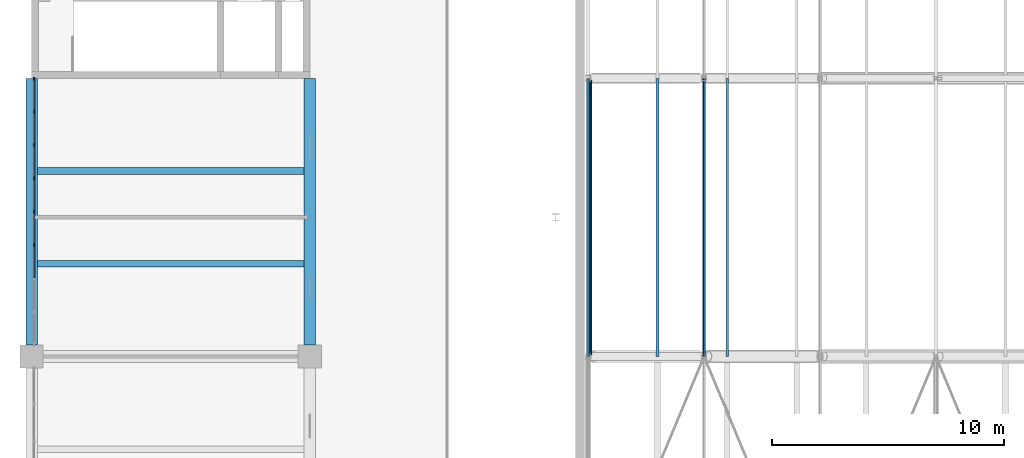
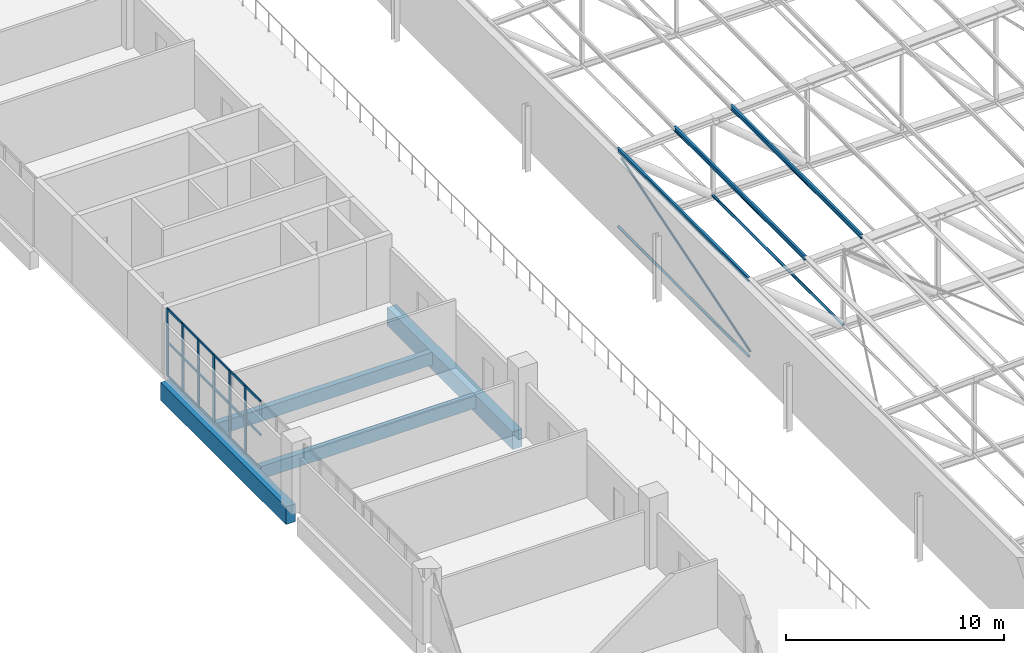
# One storey, part 65 of 156: 30 members, 4 beams, 1 element without a shape of its own.
"""IFC4 building model written with IfcOpenShell, lengths in metres."""

from ifc_helpers import new_model, si_unit, direction, frame, origin, origin_2d, place, context, subcontext, project, spatial, rectangle, hollow_circle, i_section, extrude, material, layer, layer_set, material_profile, profile_set, type_object, element, aggregate, save


model = new_model("IFC4")

# Units and contexts
model_context = context("Model", 3, precision=1e-05, world=origin(), true_north=direction((0.0, 1.0)))
body_context = subcontext(model_context, "Body", "Model", "MODEL_VIEW")
ifc_project = project(units=[si_unit("LENGTHUNIT", "METRE"), si_unit("AREAUNIT", "SQUARE_METRE"), si_unit("VOLUMEUNIT", "CUBIC_METRE"), si_unit("PLANEANGLEUNIT", "RADIAN"), si_unit("MASSUNIT", "GRAM", prefix="KILO")], contexts=[model_context])

# Site, building, storey
site_placement = place(None, origin())
site = spatial("IfcSite", under=ifc_project, at=site_placement, CompositionType="ELEMENT")
building_placement = place(site_placement, origin())
building = spatial("IfcBuilding", under=site, at=building_placement, Name="Lilac Gate Convention Centre", CompositionType="ELEMENT")
storey_placement = place(building_placement, frame((0.0, 0.0, 17.0)))
storey = spatial("IfcBuildingStorey", under=building, at=storey_placement, Name="L03", CompositionType="ELEMENT", Elevation=17.0)

# Members
ifc_material_1 = material(Name="Steel Q355B", Category="steel")
ifc_material_profile_1 = material_profile(ifc_material_1, hollow_circle(Radius=0.06982421875, WallThickness=0.0048828125, at=origin_2d()), Name="CHS139.7x5")
ifc_profile_set_1 = profile_set([ifc_material_profile_1], Name="Steel Q355B")
member_type_1 = type_object("IfcMemberType", Name="Bottom chord tie CHS139.7x5", PredefinedType="STRUT", material=ifc_profile_set_1)
for number, where, z_axis, x_axis, name in (
    (1, (30.0, 138.006103515625, 0.0), (0.0, 1.0, 0.0), (-1.0, 0.0, 0.0), "ST1 tie bay 10 node 1"),
    (2, (35.0, 138.006103515625, 0.0), (0.0, 1.0, 0.0), (-1.0, 0.0, 0.0), "ST1 tie bay 10 node 2"),
):
    element("IfcMember", number, at=place(storey_placement, frame(where, z_axis=z_axis, x_axis=x_axis)), inside=storey, type_object=member_type_1, Name=name, PredefinedType="STRUT", context=body_context, shape_type="SweptSolid", body=[
        extrude(hollow_circle(Radius=0.06982421875, WallThickness=0.0048828125, at=origin_2d()), origin(), (0.0, 0.0, 1.0), 11.98779296875),
    ])

# Curtain wall, members
ifc_material_2 = material(Name="Aluminium framed double glazing", Category="aluminium")
ifc_layer = layer(ifc_material_2, 0.199951171875)
ifc_layer_set = layer_set([ifc_layer], Name="Aluminium framed double glazing")
curtain_wall_type = type_object("IfcCurtainWallType", Name="Unitised curtain wall 1500", PredefinedType="NOTDEFINED", material=ifc_layer_set)
curtain_wall_placement = place(storey_placement, origin())
curtain_wall = element("IfcCurtainWall", 3, at=curtain_wall_placement, inside=storey, type_object=curtain_wall_type, Name="Curtain wall PW L03 5", PredefinedType="NOTDEFINED")
ifc_material_3 = material(Name="Aluminium alloy 6063", Category="aluminium")
ifc_material_profile_2 = material_profile(ifc_material_3, rectangle(XDim=0.06005859375, YDim=0.159912109375, at=origin_2d()), Name="Curtain wall mullion 60 x 160")
ifc_profile_set_2 = profile_set([ifc_material_profile_2], Name="Aluminium alloy 6063")
member_type_2 = type_object("IfcMemberType", Name="Curtain wall mullion 60 x 160", PredefinedType="MULLION", material=ifc_profile_set_2)
member_1_placement = place(storey_placement, frame((6.10009765625, 149.969970703125, 0.0), z_axis=(0.0, 0.0, 1.0), x_axis=(1.0, 0.0, 0.0)))
member_1 = element("IfcMember", 4, at=member_1_placement, type_object=member_type_2, Name="CW mullion 1", PredefinedType="MULLION", context=body_context, shape_type="SweptSolid", body=[
    extrude(rectangle(XDim=0.06005859375, YDim=0.159912109375, at=origin_2d()), origin(), (0.0, 0.0, 1.0), 3.800048828125),
])
member_2_placement = place(storey_placement, frame((6.10009765625, 148.5625, 0.0), z_axis=(0.0, 0.0, 1.0), x_axis=(1.0, 0.0, 0.0)))
member_2 = element("IfcMember", 5, at=member_2_placement, type_object=member_type_2, Name="CW mullion 2", PredefinedType="MULLION", context=body_context, shape_type="SweptSolid", body=[
    extrude(rectangle(XDim=0.06005859375, YDim=0.159912109375, at=origin_2d()), origin(), (0.0, 0.0, 1.0), 3.800048828125),
])
member_3_placement = place(storey_placement, frame((6.10009765625, 147.125, 0.0), z_axis=(0.0, 0.0, 1.0), x_axis=(1.0, 0.0, 0.0)))
member_3 = element("IfcMember", 6, at=member_3_placement, type_object=member_type_2, Name="CW mullion 3", PredefinedType="MULLION", context=body_context, shape_type="SweptSolid", body=[
    extrude(rectangle(XDim=0.06005859375, YDim=0.159912109375, at=origin_2d()), origin(), (0.0, 0.0, 1.0), 3.800048828125),
])
member_4_placement = place(storey_placement, frame((6.10009765625, 145.6875, 0.0), z_axis=(0.0, 0.0, 1.0), x_axis=(1.0, 0.0, 0.0)))
member_4 = element("IfcMember", 7, at=member_4_placement, type_object=member_type_2, Name="CW mullion 4", PredefinedType="MULLION", context=body_context, shape_type="SweptSolid", body=[
    extrude(rectangle(XDim=0.06005859375, YDim=0.159912109375, at=origin_2d()), origin(), (0.0, 0.0, 1.0), 3.800048828125),
])
member_5_placement = place(storey_placement, frame((6.10009765625, 144.25, 0.0), z_axis=(0.0, 0.0, 1.0), x_axis=(1.0, 0.0, 0.0)))
member_5 = element("IfcMember", 8, at=member_5_placement, type_object=member_type_2, Name="CW mullion 5", PredefinedType="MULLION", context=body_context, shape_type="SweptSolid", body=[
    extrude(rectangle(XDim=0.06005859375, YDim=0.159912109375, at=origin_2d()), origin(), (0.0, 0.0, 1.0), 3.800048828125),
])
member_6_placement = place(storey_placement, frame((6.10009765625, 142.8125, 0.0), z_axis=(0.0, 0.0, 1.0), x_axis=(1.0, 0.0, 0.0)))
member_6 = element("IfcMember", 9, at=member_6_placement, type_object=member_type_2, Name="CW mullion 6", PredefinedType="MULLION", context=body_context, shape_type="SweptSolid", body=[
    extrude(rectangle(XDim=0.06005859375, YDim=0.159912109375, at=origin_2d()), origin(), (0.0, 0.0, 1.0), 3.800048828125),
])
ifc_material_profile_3 = material_profile(ifc_material_3, rectangle(XDim=0.06005859375, YDim=0.1201171875, at=origin_2d()), Name="Curtain wall transom 60 x 120")
ifc_profile_set_3 = profile_set([ifc_material_profile_3], Name="Aluminium alloy 6063")
member_type_3 = type_object("IfcMemberType", Name="Curtain wall transom 60 x 120", PredefinedType="USERDEFINED", material=ifc_profile_set_3)
member_7_placement = place(storey_placement, frame((6.10009765625, 149.93994140625, 0.030029296875), z_axis=(0.0, -1.0, 0.0), x_axis=(1.0, 0.0, 0.0)))
member_7 = element("IfcMember", 10, at=member_7_placement, type_object=member_type_3, Name="CW transom 1.1", ObjectType="TRANSOM", PredefinedType="USERDEFINED", context=body_context, shape_type="SweptSolid", body=[
    extrude(rectangle(XDim=0.06005859375, YDim=0.1201171875, at=origin_2d()), origin(), (0.0, 0.0, 1.0), 1.347412109375),
])
member_8_placement = place(storey_placement, frame((6.10009765625, 149.93994140625, 1.89990234375), z_axis=(0.0, -1.0, 0.0), x_axis=(1.0, 0.0, 0.0)))
member_8 = element("IfcMember", 11, at=member_8_placement, type_object=member_type_3, Name="CW transom 1.2", ObjectType="TRANSOM", PredefinedType="USERDEFINED", context=body_context, shape_type="SweptSolid", body=[
    extrude(rectangle(XDim=0.06005859375, YDim=0.1201171875, at=origin_2d()), origin(), (0.0, 0.0, 1.0), 1.347412109375),
])
member_9_placement = place(storey_placement, frame((6.10009765625, 149.93994140625, 3.77001953125), z_axis=(0.0, -1.0, 0.0), x_axis=(1.0, 0.0, 0.0)))
member_9 = element("IfcMember", 12, at=member_9_placement, type_object=member_type_3, Name="CW transom 1.3", ObjectType="TRANSOM", PredefinedType="USERDEFINED", context=body_context, shape_type="SweptSolid", body=[
    extrude(rectangle(XDim=0.06005859375, YDim=0.1201171875, at=origin_2d()), origin(), (0.0, 0.0, 1.0), 1.347412109375),
])
member_10_placement = place(storey_placement, frame((6.10009765625, 148.532470703125, 0.030029296875), z_axis=(0.0, -1.0, 0.0), x_axis=(1.0, 0.0, 0.0)))
member_10 = element("IfcMember", 13, at=member_10_placement, type_object=member_type_3, Name="CW transom 2.1", ObjectType="TRANSOM", PredefinedType="USERDEFINED", context=body_context, shape_type="SweptSolid", body=[
    extrude(rectangle(XDim=0.06005859375, YDim=0.1201171875, at=origin_2d()), origin(), (0.0, 0.0, 1.0), 1.37744140625),
])
member_11_placement = place(storey_placement, frame((6.10009765625, 148.532470703125, 1.89990234375), z_axis=(0.0, -1.0, 0.0), x_axis=(1.0, 0.0, 0.0)))
member_11 = element("IfcMember", 14, at=member_11_placement, type_object=member_type_3, Name="CW transom 2.2", ObjectType="TRANSOM", PredefinedType="USERDEFINED", context=body_context, shape_type="SweptSolid", body=[
    extrude(rectangle(XDim=0.06005859375, YDim=0.1201171875, at=origin_2d()), origin(), (0.0, 0.0, 1.0), 1.37744140625),
])
member_12_placement = place(storey_placement, frame((6.10009765625, 148.532470703125, 3.77001953125), z_axis=(0.0, -1.0, 0.0), x_axis=(1.0, 0.0, 0.0)))
member_12 = element("IfcMember", 15, at=member_12_placement, type_object=member_type_3, Name="CW transom 2.3", ObjectType="TRANSOM", PredefinedType="USERDEFINED", context=body_context, shape_type="SweptSolid", body=[
    extrude(rectangle(XDim=0.06005859375, YDim=0.1201171875, at=origin_2d()), origin(), (0.0, 0.0, 1.0), 1.37744140625),
])
member_13_placement = place(storey_placement, frame((6.10009765625, 147.094970703125, 0.030029296875), z_axis=(0.0, -1.0, 0.0), x_axis=(1.0, 0.0, 0.0)))
member_13 = element("IfcMember", 16, at=member_13_placement, type_object=member_type_3, Name="CW transom 3.1", ObjectType="TRANSOM", PredefinedType="USERDEFINED", context=body_context, shape_type="SweptSolid", body=[
    extrude(rectangle(XDim=0.06005859375, YDim=0.1201171875, at=origin_2d()), origin(), (0.0, 0.0, 1.0), 1.37744140625),
])
member_14_placement = place(storey_placement, frame((6.10009765625, 147.094970703125, 1.89990234375), z_axis=(0.0, -1.0, 0.0), x_axis=(1.0, 0.0, 0.0)))
member_14 = element("IfcMember", 17, at=member_14_placement, type_object=member_type_3, Name="CW transom 3.2", ObjectType="TRANSOM", PredefinedType="USERDEFINED", context=body_context, shape_type="SweptSolid", body=[
    extrude(rectangle(XDim=0.06005859375, YDim=0.1201171875, at=origin_2d()), origin(), (0.0, 0.0, 1.0), 1.37744140625),
])
member_15_placement = place(storey_placement, frame((6.10009765625, 147.094970703125, 3.77001953125), z_axis=(0.0, -1.0, 0.0), x_axis=(1.0, 0.0, 0.0)))
member_15 = element("IfcMember", 18, at=member_15_placement, type_object=member_type_3, Name="CW transom 3.3", ObjectType="TRANSOM", PredefinedType="USERDEFINED", context=body_context, shape_type="SweptSolid", body=[
    extrude(rectangle(XDim=0.06005859375, YDim=0.1201171875, at=origin_2d()), origin(), (0.0, 0.0, 1.0), 1.37744140625),
])
member_16_placement = place(storey_placement, frame((6.10009765625, 145.657470703125, 0.030029296875), z_axis=(0.0, -1.0, 0.0), x_axis=(1.0, 0.0, 0.0)))
member_16 = element("IfcMember", 19, at=member_16_placement, type_object=member_type_3, Name="CW transom 4.1", ObjectType="TRANSOM", PredefinedType="USERDEFINED", context=body_context, shape_type="SweptSolid", body=[
    extrude(rectangle(XDim=0.06005859375, YDim=0.1201171875, at=origin_2d()), origin(), (0.0, 0.0, 1.0), 1.37744140625),
])
member_17_placement = place(storey_placement, frame((6.10009765625, 145.657470703125, 1.89990234375), z_axis=(0.0, -1.0, 0.0), x_axis=(1.0, 0.0, 0.0)))
member_17 = element("IfcMember", 20, at=member_17_placement, type_object=member_type_3, Name="CW transom 4.2", ObjectType="TRANSOM", PredefinedType="USERDEFINED", context=body_context, shape_type="SweptSolid", body=[
    extrude(rectangle(XDim=0.06005859375, YDim=0.1201171875, at=origin_2d()), origin(), (0.0, 0.0, 1.0), 1.37744140625),
])
member_18_placement = place(storey_placement, frame((6.10009765625, 145.657470703125, 3.77001953125), z_axis=(0.0, -1.0, 0.0), x_axis=(1.0, 0.0, 0.0)))
member_18 = element("IfcMember", 21, at=member_18_placement, type_object=member_type_3, Name="CW transom 4.3", ObjectType="TRANSOM", PredefinedType="USERDEFINED", context=body_context, shape_type="SweptSolid", body=[
    extrude(rectangle(XDim=0.06005859375, YDim=0.1201171875, at=origin_2d()), origin(), (0.0, 0.0, 1.0), 1.37744140625),
])
member_19_placement = place(storey_placement, frame((6.10009765625, 144.219970703125, 0.030029296875), z_axis=(0.0, -1.0, 0.0), x_axis=(1.0, 0.0, 0.0)))
member_19 = element("IfcMember", 22, at=member_19_placement, type_object=member_type_3, Name="CW transom 5.1", ObjectType="TRANSOM", PredefinedType="USERDEFINED", context=body_context, shape_type="SweptSolid", body=[
    extrude(rectangle(XDim=0.06005859375, YDim=0.1201171875, at=origin_2d()), origin(), (0.0, 0.0, 1.0), 1.37744140625),
])
member_20_placement = place(storey_placement, frame((6.10009765625, 144.219970703125, 1.89990234375), z_axis=(0.0, -1.0, 0.0), x_axis=(1.0, 0.0, 0.0)))
member_20 = element("IfcMember", 23, at=member_20_placement, type_object=member_type_3, Name="CW transom 5.2", ObjectType="TRANSOM", PredefinedType="USERDEFINED", context=body_context, shape_type="SweptSolid", body=[
    extrude(rectangle(XDim=0.06005859375, YDim=0.1201171875, at=origin_2d()), origin(), (0.0, 0.0, 1.0), 1.37744140625),
])
member_21_placement = place(storey_placement, frame((6.10009765625, 144.219970703125, 3.77001953125), z_axis=(0.0, -1.0, 0.0), x_axis=(1.0, 0.0, 0.0)))
member_21 = element("IfcMember", 24, at=member_21_placement, type_object=member_type_3, Name="CW transom 5.3", ObjectType="TRANSOM", PredefinedType="USERDEFINED", context=body_context, shape_type="SweptSolid", body=[
    extrude(rectangle(XDim=0.06005859375, YDim=0.1201171875, at=origin_2d()), origin(), (0.0, 0.0, 1.0), 1.37744140625),
])
member_22_placement = place(storey_placement, frame((6.10009765625, 142.782470703125, 0.030029296875), z_axis=(0.0, -1.0, 0.0), x_axis=(1.0, 0.0, 0.0)))
member_22 = element("IfcMember", 25, at=member_22_placement, type_object=member_type_3, Name="CW transom 6.1", ObjectType="TRANSOM", PredefinedType="USERDEFINED", context=body_context, shape_type="SweptSolid", body=[
    extrude(rectangle(XDim=0.06005859375, YDim=0.1201171875, at=origin_2d()), origin(), (0.0, 0.0, 1.0), 1.37744140625),
])
member_23_placement = place(storey_placement, frame((6.10009765625, 142.782470703125, 1.89990234375), z_axis=(0.0, -1.0, 0.0), x_axis=(1.0, 0.0, 0.0)))
member_23 = element("IfcMember", 26, at=member_23_placement, type_object=member_type_3, Name="CW transom 6.2", ObjectType="TRANSOM", PredefinedType="USERDEFINED", context=body_context, shape_type="SweptSolid", body=[
    extrude(rectangle(XDim=0.06005859375, YDim=0.1201171875, at=origin_2d()), origin(), (0.0, 0.0, 1.0), 1.37744140625),
])
member_24_placement = place(storey_placement, frame((6.10009765625, 142.782470703125, 3.77001953125), z_axis=(0.0, -1.0, 0.0), x_axis=(1.0, 0.0, 0.0)))
member_24 = element("IfcMember", 27, at=member_24_placement, type_object=member_type_3, Name="CW transom 6.3", ObjectType="TRANSOM", PredefinedType="USERDEFINED", context=body_context, shape_type="SweptSolid", body=[
    extrude(rectangle(XDim=0.06005859375, YDim=0.1201171875, at=origin_2d()), origin(), (0.0, 0.0, 1.0), 1.37744140625),
])
aggregate(curtain_wall, [member_1, member_2, member_3, member_4, member_5, member_6, member_7, member_8, member_9, member_10, member_11, member_12, member_13, member_14, member_15, member_16, member_17, member_18, member_19, member_20, member_21, member_22, member_23, member_24])

# Beams
ifc_material_4 = material(Name="Concrete C40", Category="concrete")
ifc_material_profile_4 = material_profile(ifc_material_4, rectangle(XDim=0.5, YDim=1.0, at=origin_2d()), Name="RC 500x1000")
ifc_profile_set_4 = profile_set([ifc_material_profile_4], Name="Concrete C40")
beam_type_1 = type_object("IfcBeamType", Name="Primary beam 500x1000 C40", PredefinedType="BEAM", material=ifc_profile_set_4)
for number, where, z_axis, x_axis, name in (
    (28, (6.0, 138.5, -0.75), (0.0, 1.0, 0.0), (-1.0, 0.0, 0.0), "RB1 L03 1/K-1/L"),
    (29, (18.0, 138.5, -0.75), (0.0, 1.0, 0.0), (-1.0, 0.0, 0.0), "RB1 L03 2/K-2/L"),
):
    element("IfcBeam", number, at=place(storey_placement, frame(where, z_axis=z_axis, x_axis=x_axis)), inside=storey, type_object=beam_type_1, Name=name, PredefinedType="BEAM", context=body_context, shape_type="SweptSolid", body=[
        extrude(rectangle(XDim=0.5, YDim=1.0, at=origin_2d()), origin(), (0.0, 0.0, 1.0), 11.5),
    ])

# Members
ifc_material_profile_5 = material_profile(ifc_material_1, i_section(OverallWidth=0.125, OverallDepth=0.25, WebThickness=0.006103515625, FlangeThickness=0.009033203125, FilletRadius=0.008056640625, at=origin_2d()), Name="HN250x125x6x9")
ifc_profile_set_5 = profile_set([ifc_material_profile_5], Name="Steel Q355B")
member_type_4 = type_object("IfcMemberType", Name="Roof purlin HN250x125x6x9", PredefinedType="PURLIN", material=ifc_profile_set_5)
for number, where, z_axis, x_axis, name in (
    (30, (30.0, 138.0, 4.30029296875), (0.0, 1.0, 0.0), (-1.0, 0.0, 0.0), "PU2 purlin bay 10 line 1"),
    (31, (33.0, 138.0, 4.4501953125), (0.0, 1.0, 0.0), (-1.0, 0.0, 0.0), "PU2 purlin bay 10 line 2"),
    (32, (36.0, 138.0, 4.60009765625), (0.0, 1.0, 0.0), (-1.0, 0.0, 0.0), "PU2 purlin bay 10 line 3"),
):
    element("IfcMember", number, at=place(storey_placement, frame(where, z_axis=z_axis, x_axis=x_axis)), inside=storey, type_object=member_type_4, Name=name, PredefinedType="PURLIN", context=body_context, shape_type="SweptSolid", body=[
        extrude(i_section(OverallWidth=0.125, OverallDepth=0.25, WebThickness=0.006103515625, FlangeThickness=0.009033203125, FilletRadius=0.008056640625, at=origin_2d()), origin(), (0.0, 0.0, 1.0), 12.0),
    ])

# Beams
ifc_material_profile_6 = material_profile(ifc_material_4, rectangle(XDim=0.300048828125, YDim=0.699951171875, at=origin_2d()), Name="RC 300x700")
ifc_profile_set_6 = profile_set([ifc_material_profile_6], Name="Concrete C40")
beam_type_2 = type_object("IfcBeamType", Name="Secondary beam 300x700 C40", PredefinedType="BEAM", material=ifc_profile_set_6)
for number, where, z_axis, x_axis, name in (
    (33, (6.25, 142.0, -0.60009765625), (1.0, 0.0, 0.0), (0.0, 1.0, 0.0), "RB2 L03 bay 1/K"),
    (34, (6.25, 146.0, -0.60009765625), (1.0, 0.0, 0.0), (0.0, 1.0, 0.0), "RB2 L03 bay 1/K"),
):
    element("IfcBeam", number, at=place(storey_placement, frame(where, z_axis=z_axis, x_axis=x_axis)), inside=storey, type_object=beam_type_2, Name=name, PredefinedType="BEAM", context=body_context, shape_type="SweptSolid", body=[
        extrude(rectangle(XDim=0.300048828125, YDim=0.699951171875, at=origin_2d()), origin(), (0.0, 0.0, 1.0), 11.5),
    ])

# Member
ifc_material_profile_7 = material_profile(ifc_material_1, hollow_circle(Radius=0.05712890625, WallThickness=0.006103515625, at=origin_2d()), Name="CHS114.3x6")
ifc_profile_set_7 = profile_set([ifc_material_profile_7], Name="Steel Q355B")
member_type_5 = type_object("IfcMemberType", Name="Vertical bracing CHS114.3x6", PredefinedType="BRACE", material=ifc_profile_set_7)
member_25_placement = place(storey_placement, frame((30.1201171875, 138.08740234375, 0.175048828125), z_axis=(0.0, 0.955386652678, 0.295357992757), x_axis=(-1.0, 0.0, 0.0)))
element("IfcMember", 35, at=member_25_placement, inside=storey, type_object=member_type_5, Name="BR2 vertical bracing bay 10 line 1", PredefinedType="BRACE", context=body_context, shape_type="SweptSolid", body=[
    extrude(hollow_circle(Radius=0.05712890625, WallThickness=0.006103515625, at=origin_2d()), origin(), (0.0, 0.0, 1.0), 12.37744140625),
])

save(model, "model.ifc")
